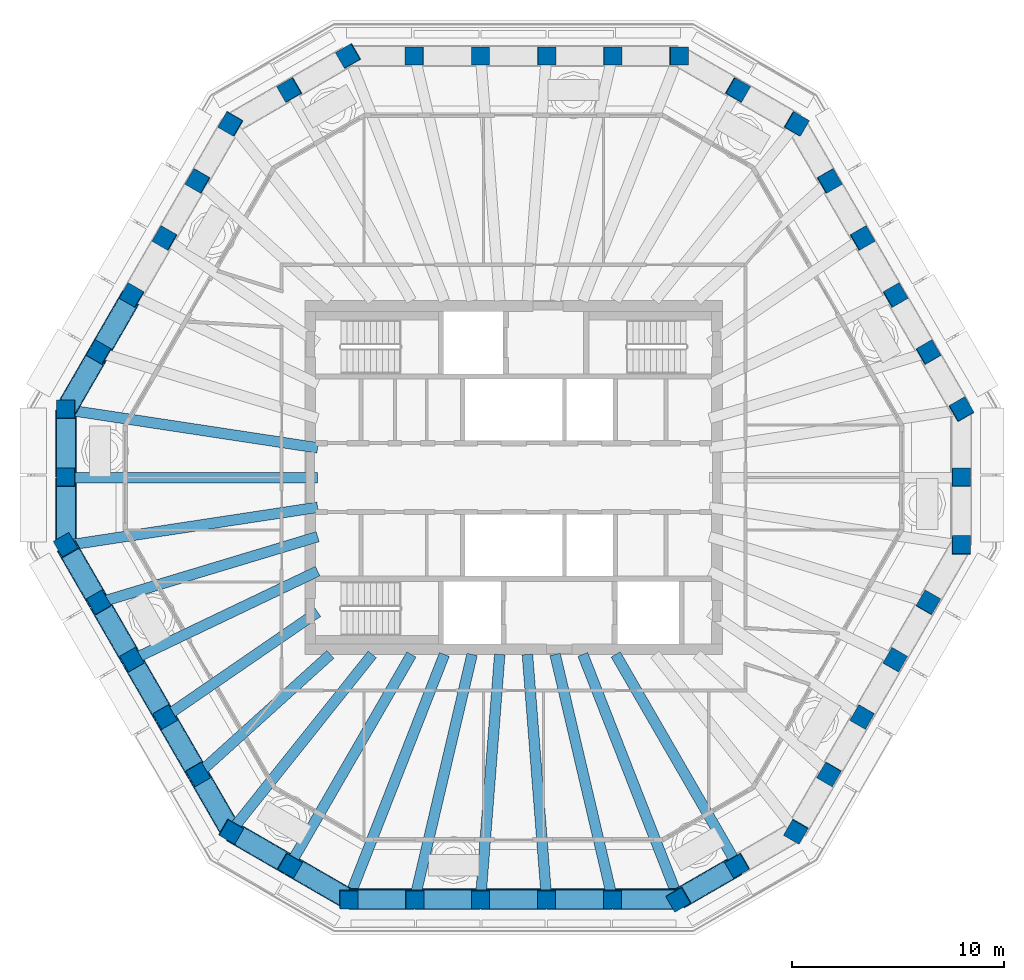
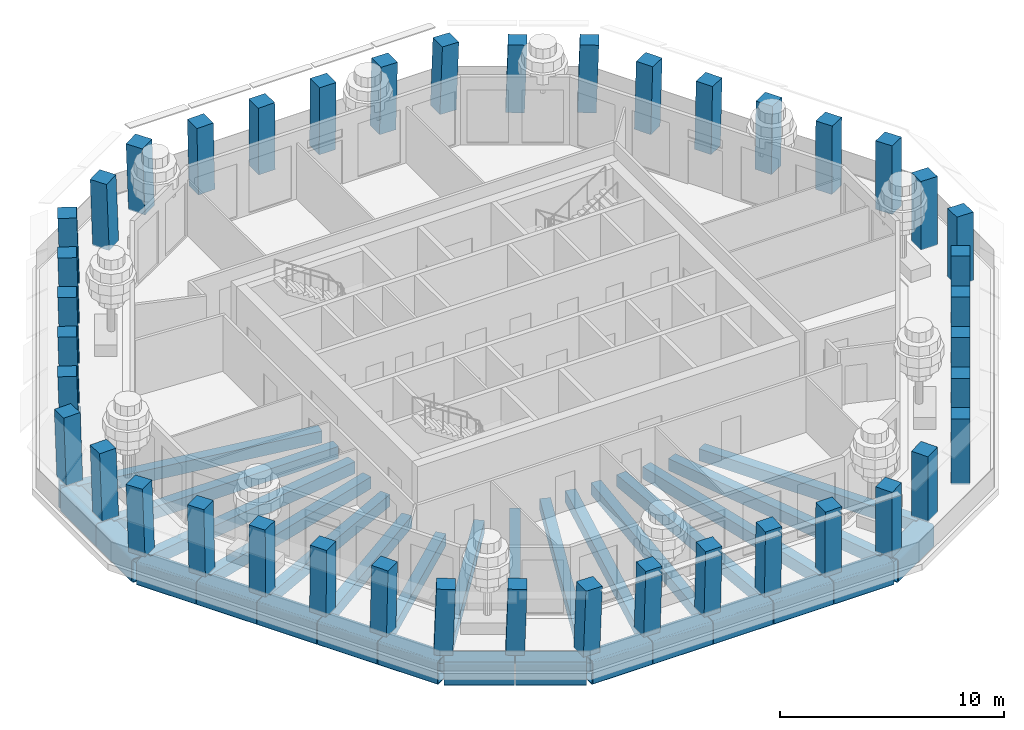
# One storey, part 1 of 13: 42 columns, 33 beams.
"""IFC4 building model written with IfcOpenShell, lengths in metres."""

from ifc_helpers import new_model, si_unit, direction, frame, origin, origin_2d, place, context, subcontext, project, spatial, rectangle, hollow_rectangle, extrude, material, material_profile, profile_set, type_object, element, save


model = new_model("IFC4")

# Units and contexts
model_context = context("Model", 3, precision=1e-05, world=origin(), true_north=direction((0.0, 1.0)))
body_context = subcontext(model_context, "Body", "Model", "MODEL_VIEW")
ifc_project = project(units=[si_unit("LENGTHUNIT", "METRE"), si_unit("AREAUNIT", "SQUARE_METRE"), si_unit("VOLUMEUNIT", "CUBIC_METRE"), si_unit("PLANEANGLEUNIT", "RADIAN"), si_unit("MASSUNIT", "GRAM", prefix="KILO")], contexts=[model_context])

# Site, building, storey
site_placement = place(None, origin())
site = spatial("IfcSite", under=ifc_project, at=site_placement, CompositionType="ELEMENT")
building_placement = place(site_placement, origin())
building = spatial("IfcBuilding", under=site, at=building_placement, Name="Frailejon Research Tower", CompositionType="ELEMENT")
storey_placement = place(building_placement, frame((0.0, 0.0, 308.60009765625)))
storey = spatial("IfcBuildingStorey", under=building, at=storey_placement, Name="L68", CompositionType="ELEMENT", Elevation=308.60009765625)

# Columns
ifc_material_1 = material(Name="Concrete C50/60", Category="concrete")
ifc_material_profile_1 = material_profile(ifc_material_1, rectangle(XDim=0.85009765625, YDim=0.85009765625, at=origin_2d()), Name="Column 850")
ifc_profile_set_1 = profile_set([ifc_material_profile_1], Name="Concrete C50/60")
column_type = type_object("IfcColumnType", Name="Column 850", PredefinedType="COLUMN", material=ifc_profile_set_1)
for number, where, z_axis, x_axis, name in (
    (1, (21.12744140625, -3.2060546875, 0.0), (0.018115165867, 0.031417446337, 0.999342176049), (-0.001297375745, 0.999506085267, -0.031399081689), "Column C01"),
    (2, (21.12744140625, 0.0, 0.0), (0.018115165867, 0.031417446337, 0.999342176049), (-0.001297375745, 0.999506085267, -0.031399081689), "Column C02"),
    (3, (21.12744140625, 3.2060546875, 0.0), (0.018115165867, 0.031417446337, 0.999342176049), (-0.501041092948, 0.865233799715, -0.018118913022), "Column C03"),
):
    element("IfcColumn", number, at=place(storey_placement, frame(where, z_axis=z_axis, x_axis=x_axis)), inside=storey, type_object=column_type, Name=name, PredefinedType="COLUMN", context=body_context, shape_type="SweptSolid", body=[
        extrude(rectangle(XDim=0.85009765625, YDim=0.85009765625, at=origin_2d()), origin(), (0.0, 0.0, 1.0), 3.65234375),
    ])
column_1_placement = place(storey_placement, frame((19.570068359375, 5.903564453125, 0.0), z_axis=(0.021793949015, 0.025136579231, 0.999446434868), x_axis=(-0.499665408411, 0.866150057728, -0.010888394553)))
element("IfcColumn", 4, at=column_1_placement, inside=storey, type_object=column_type, Name="Column C04", PredefinedType="COLUMN", context=body_context, shape_type="SweptSolid", body=[
    extrude(rectangle(XDim=0.85009765625, YDim=0.85009765625, at=origin_2d()), origin(), (0.0, 0.0, 1.0), 3.65185546875),
])
for number, where, z_axis, x_axis, name in (
    (5, (18.0126953125, 8.601318359375, 0.0), (0.025338555476, 0.01878663348, 0.999502386195), (-0.499703460542, 0.866189008895, -0.003612809361), "Column C05"),
    (6, (16.455078125, 11.298828125, 0.0), (0.029015583354, 0.012568962375, 0.99949993352), (-0.499848966802, 0.86610502362, 0.003619177736), "Column C06"),
):
    element("IfcColumn", number, at=place(storey_placement, frame(where, z_axis=z_axis, x_axis=x_axis)), inside=storey, type_object=column_type, Name=name, PredefinedType="COLUMN", context=body_context, shape_type="SweptSolid", body=[
        extrude(rectangle(XDim=0.85009765625, YDim=0.85009765625, at=origin_2d()), origin(), (0.0, 0.0, 1.0), 3.651611328125),
    ])
column_2_placement = place(storey_placement, frame((14.897705078125, 13.996337890625, 0.0), z_axis=(0.032690901241, 0.006284140525, 0.999445753682), x_axis=(-0.49982900143, 0.866055473539, 0.010903489444)))
element("IfcColumn", 7, at=column_2_placement, inside=storey, type_object=column_type, Name="Column C07", PredefinedType="COLUMN", context=body_context, shape_type="SweptSolid", body=[
    extrude(rectangle(XDim=0.85009765625, YDim=0.85009765625, at=origin_2d()), origin(), (0.0, 0.0, 1.0), 3.65185546875),
])
for number, where, z_axis, x_axis, name in (
    (8, (13.34033203125, 16.69384765625, 0.0), (0.036230378439, 0.0, 0.99934346432), (-0.865314641241, 0.500246354177, 0.031371273281), "Column C08"),
    (9, (10.563720703125, 18.297119140625, 0.0), (0.036297136169, 0.0, 0.99934104184), (-0.865312543657, 0.500246354177, 0.031429077673), "Column C09"),
    (10, (7.787109375, 19.89990234375, 0.0), (0.036297136169, 0.0, 0.99934104184), (-0.99934104184, 0.0, 0.036297136169), "Column C10"),
):
    element("IfcColumn", number, at=place(storey_placement, frame(where, z_axis=z_axis, x_axis=x_axis)), inside=storey, type_object=column_type, Name=name, PredefinedType="COLUMN", context=body_context, shape_type="SweptSolid", body=[
        extrude(rectangle(XDim=0.85009765625, YDim=0.85009765625, at=origin_2d()), origin(), (0.0, 0.0, 1.0), 3.65234375),
    ])
column_3_placement = place(storey_placement, frame((4.67236328125, 19.89990234375, 0.0), z_axis=(0.021733995409, 0.0, 0.999763788824), x_axis=(-0.999763788824, 0.0, 0.021733995409)))
element("IfcColumn", 11, at=column_3_placement, inside=storey, type_object=column_type, Name="Column C11", PredefinedType="COLUMN", context=body_context, shape_type="SweptSolid", body=[
    extrude(rectangle(XDim=0.85009765625, YDim=0.85009765625, at=origin_2d()), origin(), (0.0, 0.0, 1.0), 3.65087890625),
])
for number, where, z_axis, x_axis, name in (
    (12, (1.557373046875, 19.89990234375, 0.0), (0.00729077612, 0.0, 0.999973421939), (-0.999973421939, 0.0, 0.00729077612), "Column C12"),
    (13, (-1.557373046875, 19.89990234375, 0.0), (-0.00729077612, 0.0, 0.999973421939), (-0.999973421939, 0.0, -0.00729077612), "Column C13"),
):
    element("IfcColumn", number, at=place(storey_placement, frame(where, z_axis=z_axis, x_axis=x_axis)), inside=storey, type_object=column_type, Name=name, PredefinedType="COLUMN", context=body_context, shape_type="SweptSolid", body=[
        extrude(rectangle(XDim=0.85009765625, YDim=0.85009765625, at=origin_2d()), origin(), (0.0, 0.0, 1.0), 3.64990234375),
    ])
column_4_placement = place(storey_placement, frame((-4.67236328125, 19.89990234375, 0.0), z_axis=(-0.021733995409, 0.0, 0.999763788824), x_axis=(-0.999763788824, 0.0, -0.021733995409)))
element("IfcColumn", 14, at=column_4_placement, inside=storey, type_object=column_type, Name="Column C14", PredefinedType="COLUMN", context=body_context, shape_type="SweptSolid", body=[
    extrude(rectangle(XDim=0.85009765625, YDim=0.85009765625, at=origin_2d()), origin(), (0.0, 0.0, 1.0), 3.65087890625),
])
for number, where, z_axis, x_axis, name in (
    (15, (-7.787109375, 19.89990234375, 0.0), (-0.036297136169, 0.0, 0.99934104184), (-0.865312543657, -0.500246354177, -0.031429077673), "Column C15"),
    (16, (-10.563720703125, 18.297119140625, 0.0), (-0.036297136169, 0.0, 0.99934104184), (-0.865312543657, -0.500246354177, -0.031429077673), "Column C16"),
    (17, (-13.34033203125, 16.69384765625, 0.0), (-0.036230378439, 0.0, 0.99934346432), (-0.499425499283, -0.866167613071, -0.018106262248), "Column C17"),
):
    element("IfcColumn", number, at=place(storey_placement, frame(where, z_axis=z_axis, x_axis=x_axis)), inside=storey, type_object=column_type, Name=name, PredefinedType="COLUMN", context=body_context, shape_type="SweptSolid", body=[
        extrude(rectangle(XDim=0.85009765625, YDim=0.85009765625, at=origin_2d()), origin(), (0.0, 0.0, 1.0), 3.65234375),
    ])
column_5_placement = place(storey_placement, frame((-14.897705078125, 13.996337890625, 0.0), z_axis=(-0.032690901241, 0.006284140525, 0.999445753682), x_axis=(-0.49982900143, -0.866055473539, -0.010903489444)))
element("IfcColumn", 18, at=column_5_placement, inside=storey, type_object=column_type, Name="Column C18", PredefinedType="COLUMN", context=body_context, shape_type="SweptSolid", body=[
    extrude(rectangle(XDim=0.85009765625, YDim=0.85009765625, at=origin_2d()), origin(), (0.0, 0.0, 1.0), 3.65185546875),
])
for number, where, z_axis, x_axis, name in (
    (19, (-16.455078125, 11.298828125, 0.0), (-0.029015583354, 0.012568962375, 0.99949993352), (-0.499848966802, -0.86610502362, -0.003619177736), "Column C19"),
    (20, (-18.0126953125, 8.601318359375, 0.0), (-0.025338555476, 0.01878663348, 0.999502386195), (-0.499703460542, -0.866189008895, 0.003612809361), "Column C20"),
):
    element("IfcColumn", number, at=place(storey_placement, frame(where, z_axis=z_axis, x_axis=x_axis)), inside=storey, type_object=column_type, Name=name, PredefinedType="COLUMN", context=body_context, shape_type="SweptSolid", body=[
        extrude(rectangle(XDim=0.85009765625, YDim=0.85009765625, at=origin_2d()), origin(), (0.0, 0.0, 1.0), 3.651611328125),
    ])
column_6_placement = place(storey_placement, frame((-19.570068359375, 5.903564453125, 0.0), z_axis=(-0.021793949015, 0.025136579231, 0.999446434868), x_axis=(-0.499665408411, -0.866150057728, 0.010888394553)))
element("IfcColumn", 21, at=column_6_placement, inside=storey, type_object=column_type, Name="Column C21", PredefinedType="COLUMN", context=body_context, shape_type="SweptSolid", body=[
    extrude(rectangle(XDim=0.85009765625, YDim=0.85009765625, at=origin_2d()), origin(), (0.0, 0.0, 1.0), 3.65185546875),
])
for number, where, z_axis, x_axis, name in (
    (22, (-21.12744140625, 3.2060546875, 0.0), (-0.018115165867, 0.031417446337, 0.999342176049), (-0.001297375745, -0.999506085267, 0.031399081689), "Column C22"),
    (23, (-21.12744140625, 0.0, 0.0), (-0.018115165867, 0.031417446337, 0.999342176049), (-0.001297375745, -0.999506085267, 0.031399081689), "Column C23"),
    (24, (-21.12744140625, -3.2060546875, 0.0), (-0.018115165867, 0.031417446337, 0.999342176049), (0.499040470376, -0.865819492615, 0.036265894916), "Column C24"),
):
    element("IfcColumn", number, at=place(storey_placement, frame(where, z_axis=z_axis, x_axis=x_axis)), inside=storey, type_object=column_type, Name=name, PredefinedType="COLUMN", context=body_context, shape_type="SweptSolid", body=[
        extrude(rectangle(XDim=0.85009765625, YDim=0.85009765625, at=origin_2d()), origin(), (0.0, 0.0, 1.0), 3.65234375),
    ])
column_7_placement = place(storey_placement, frame((-19.570068359375, -5.903564453125, 0.0), z_axis=(-0.010900423214, 0.018858400897, 0.999762742599), x_axis=(0.500590318805, -0.865410234662, 0.021782067434)))
element("IfcColumn", 25, at=column_7_placement, inside=storey, type_object=column_type, Name="Column C25", PredefinedType="COLUMN", context=body_context, shape_type="SweptSolid", body=[
    extrude(rectangle(XDim=0.85009765625, YDim=0.85009765625, at=origin_2d()), origin(), (0.0, 0.0, 1.0), 3.65087890625),
])
for number, where, z_axis, x_axis, name in (
    (26, (-18.0126953125, -8.601318359375, 0.0), (-0.003611945175, 0.00628746012, 0.999973710503), (0.497890394796, -0.867209649664, 0.007251089524), "Column C26"),
    (27, (-16.455078125, -11.298828125, 0.0), (0.003611945175, -0.00628746012, 0.999973710503), (0.497890394796, -0.867209649664, -0.007251089524), "Column C27"),
):
    element("IfcColumn", number, at=place(storey_placement, frame(where, z_axis=z_axis, x_axis=x_axis)), inside=storey, type_object=column_type, Name=name, PredefinedType="COLUMN", context=body_context, shape_type="SweptSolid", body=[
        extrude(rectangle(XDim=0.85009765625, YDim=0.85009765625, at=origin_2d()), origin(), (0.0, 0.0, 1.0), 3.64990234375),
    ])
column_8_placement = place(storey_placement, frame((-14.897705078125, -13.996337890625, 0.0), z_axis=(0.010900423214, -0.018858400897, 0.999762742599), x_axis=(0.500590318805, -0.865410234662, -0.021782067434)))
element("IfcColumn", 28, at=column_8_placement, inside=storey, type_object=column_type, Name="Column C28", PredefinedType="COLUMN", context=body_context, shape_type="SweptSolid", body=[
    extrude(rectangle(XDim=0.85009765625, YDim=0.85009765625, at=origin_2d()), origin(), (0.0, 0.0, 1.0), 3.65087890625),
])
for number, where, z_axis, x_axis, name in (
    (29, (-13.34033203125, -16.69384765625, 0.0), (0.018115165867, -0.031417446337, 0.999342176049), (0.865519692755, -0.499889378995, -0.031404939456), "Column C29"),
    (30, (-10.563720703125, -18.297119140625, 0.0), (0.018115203871, -0.031350666477, 0.999344272561), (0.865981217505, -0.499092579547, -0.031354871555), "Column C30"),
    (31, (-7.787109375, -19.89990234375, 0.0), (0.018115165867, -0.031417446337, 0.999342176049), (0.999835642796, -0.000157281862, -0.01812905563), "Column C31"),
):
    element("IfcColumn", number, at=place(storey_placement, frame(where, z_axis=z_axis, x_axis=x_axis)), inside=storey, type_object=column_type, Name=name, PredefinedType="COLUMN", context=body_context, shape_type="SweptSolid", body=[
        extrude(rectangle(XDim=0.85009765625, YDim=0.85009765625, at=origin_2d()), origin(), (0.0, 0.0, 1.0), 3.65234375),
    ])
column_9_placement = place(storey_placement, frame((-4.67236328125, -19.89990234375, 0.0), z_axis=(0.010896978963, -0.031420736888, 0.99944684358), x_axis=(0.99994040428, 0.001008258557, -0.0108706625)))
element("IfcColumn", 32, at=column_9_placement, inside=storey, type_object=column_type, Name="Column C32", PredefinedType="COLUMN", context=body_context, shape_type="SweptSolid", body=[
    extrude(rectangle(XDim=0.85009765625, YDim=0.85009765625, at=origin_2d()), origin(), (0.0, 0.0, 1.0), 3.65185546875),
])
for number, where, z_axis, x_axis, name in (
    (33, (-1.557373046875, -19.89990234375, 0.0), (0.003610232938, -0.031422397791, 0.999499674405), (0.999993379572, -0.000341341874, -0.00362274737), "Column C33"),
    (34, (1.557373046875, -19.89990234375, 0.0), (-0.003610232938, -0.031422397791, 0.999499674405), (0.999993379572, 0.000341341874, 0.00362274737), "Column C34"),
):
    element("IfcColumn", number, at=place(storey_placement, frame(where, z_axis=z_axis, x_axis=x_axis)), inside=storey, type_object=column_type, Name=name, PredefinedType="COLUMN", context=body_context, shape_type="SweptSolid", body=[
        extrude(rectangle(XDim=0.85009765625, YDim=0.85009765625, at=origin_2d()), origin(), (0.0, 0.0, 1.0), 3.651611328125),
    ])
column_10_placement = place(storey_placement, frame((4.67236328125, -19.89990234375, 0.0), z_axis=(-0.010896978963, -0.031420736888, 0.99944684358), x_axis=(0.99994040428, -0.001008258557, 0.0108706625)))
element("IfcColumn", 35, at=column_10_placement, inside=storey, type_object=column_type, Name="Column C35", PredefinedType="COLUMN", context=body_context, shape_type="SweptSolid", body=[
    extrude(rectangle(XDim=0.85009765625, YDim=0.85009765625, at=origin_2d()), origin(), (0.0, 0.0, 1.0), 3.65185546875),
])
for number, where, z_axis, x_axis, name in (
    (36, (7.787109375, -19.89990234375, 0.0), (-0.018115165867, -0.031417446337, 0.999342176049), (0.865519692755, 0.499889378995, 0.031404939456), "Column C36"),
    (37, (10.563720703125, -18.297119140625, 0.0), (-0.018115203871, -0.031350666477, 0.999344272561), (0.865981217505, 0.499092579547, 0.031354871555), "Column C37"),
    (38, (13.34033203125, -16.69384765625, 0.0), (-0.018115165867, -0.031417446337, 0.999342176049), (0.499040470376, 0.865819492615, 0.036265894916), "Column C38"),
):
    element("IfcColumn", number, at=place(storey_placement, frame(where, z_axis=z_axis, x_axis=x_axis)), inside=storey, type_object=column_type, Name=name, PredefinedType="COLUMN", context=body_context, shape_type="SweptSolid", body=[
        extrude(rectangle(XDim=0.85009765625, YDim=0.85009765625, at=origin_2d()), origin(), (0.0, 0.0, 1.0), 3.65234375),
    ])
column_11_placement = place(storey_placement, frame((14.897705078125, -13.996337890625, 0.0), z_axis=(-0.010900423214, -0.018858400897, 0.999762742599), x_axis=(0.500590318805, 0.865410234662, 0.021782067434)))
element("IfcColumn", 39, at=column_11_placement, inside=storey, type_object=column_type, Name="Column C39", PredefinedType="COLUMN", context=body_context, shape_type="SweptSolid", body=[
    extrude(rectangle(XDim=0.85009765625, YDim=0.85009765625, at=origin_2d()), origin(), (0.0, 0.0, 1.0), 3.65087890625),
])
for number, where, z_axis, x_axis, name in (
    (40, (16.455078125, -11.298828125, 0.0), (-0.003611945175, -0.00628746012, 0.999973710503), (0.497890394796, 0.867209649664, 0.007251089524), "Column C40"),
    (41, (18.0126953125, -8.601318359375, 0.0), (0.003611945175, 0.00628746012, 0.999973710503), (0.497890394796, 0.867209649664, -0.007251089524), "Column C41"),
):
    element("IfcColumn", number, at=place(storey_placement, frame(where, z_axis=z_axis, x_axis=x_axis)), inside=storey, type_object=column_type, Name=name, PredefinedType="COLUMN", context=body_context, shape_type="SweptSolid", body=[
        extrude(rectangle(XDim=0.85009765625, YDim=0.85009765625, at=origin_2d()), origin(), (0.0, 0.0, 1.0), 3.64990234375),
    ])
column_12_placement = place(storey_placement, frame((19.570068359375, -5.903564453125, 0.0), z_axis=(0.010900423214, 0.018858400897, 0.999762742599), x_axis=(0.500590318805, 0.865410234662, -0.021782067434)))
element("IfcColumn", 42, at=column_12_placement, inside=storey, type_object=column_type, Name="Column C42", PredefinedType="COLUMN", context=body_context, shape_type="SweptSolid", body=[
    extrude(rectangle(XDim=0.85009765625, YDim=0.85009765625, at=origin_2d()), origin(), (0.0, 0.0, 1.0), 3.65087890625),
])

# Beams
ifc_material_2 = material(Name="Steel S355", Category="steel")
ifc_material_profile_2 = material_profile(ifc_material_2, hollow_rectangle(XDim=1.0, YDim=1.300048828125, WallThickness=0.06005859375, InnerFilletRadius=0.06005859375, OuterFilletRadius=0.1201171875, at=origin_2d()), Name="Belt chord")
ifc_profile_set_2 = profile_set([ifc_material_profile_2], Name="Steel S355")
beam_type_1 = type_object("IfcBeamType", Name="Belt chord", PredefinedType="BEAM", material=ifc_profile_set_2)
beam_1_placement = place(storey_placement, frame((-18.022705078125, 8.583984375, -1.0), z_axis=(-0.499956128963, -0.866050731258, 0.0), x_axis=(0.866050731258, -0.499956128963, 0.0)))
element("IfcBeam", 43, at=beam_1_placement, inside=storey, type_object=beam_type_1, Name="Belt chord", PredefinedType="BEAM", context=body_context, shape_type="SweptSolid", body=[
    extrude(hollow_rectangle(XDim=1.0, YDim=1.300048828125, WallThickness=0.06005859375, InnerFilletRadius=0.06005859375, OuterFilletRadius=0.1201171875, at=origin_2d()), origin(), (0.0, 0.0, 1.0), 3.074951171875),
])
beam_2_placement = place(storey_placement, frame((-19.580078125, 5.88623046875, -1.0), z_axis=(-0.499990508365, -0.866030883713, 0.0), x_axis=(0.866030883713, -0.499990508365, 0.0)))
element("IfcBeam", 44, at=beam_2_placement, inside=storey, type_object=beam_type_1, Name="Belt chord", PredefinedType="BEAM", context=body_context, shape_type="SweptSolid", body=[
    extrude(hollow_rectangle(XDim=1.0, YDim=1.300048828125, WallThickness=0.06005859375, InnerFilletRadius=0.06005859375, OuterFilletRadius=0.1201171875, at=origin_2d()), origin(), (0.0, 0.0, 1.0), 3.07470703125),
])
for number, where, z_axis, x_axis, name in (
    (45, (-21.12744140625, 3.18603515625, -1.0), (0.0, -1.0, 0.0), (1.0, 0.0, 0.0), "Belt chord"),
    (46, (-21.12744140625, -0.02001953125, -1.0), (0.0, -1.0, 0.0), (1.0, 0.0, 0.0), "Belt chord"),
):
    element("IfcBeam", number, at=place(storey_placement, frame(where, z_axis=z_axis, x_axis=x_axis)), inside=storey, type_object=beam_type_1, Name=name, PredefinedType="BEAM", context=body_context, shape_type="SweptSolid", body=[
        extrude(hollow_rectangle(XDim=1.0, YDim=1.300048828125, WallThickness=0.06005859375, InnerFilletRadius=0.06005859375, OuterFilletRadius=0.1201171875, at=origin_2d()), origin(), (0.0, 0.0, 1.0), 3.166015625),
    ])
beam_3_placement = place(storey_placement, frame((-21.117431640625, -3.223388671875, -1.0), z_axis=(0.499990508365, -0.866030883713, 0.0), x_axis=(0.866030883713, 0.499990508365, 0.0)))
element("IfcBeam", 47, at=beam_3_placement, inside=storey, type_object=beam_type_1, Name="Belt chord", PredefinedType="BEAM", context=body_context, shape_type="SweptSolid", body=[
    extrude(hollow_rectangle(XDim=1.0, YDim=1.300048828125, WallThickness=0.06005859375, InnerFilletRadius=0.06005859375, OuterFilletRadius=0.1201171875, at=origin_2d()), origin(), (0.0, 0.0, 1.0), 3.07470703125),
])
beam_4_placement = place(storey_placement, frame((-19.56005859375, -5.9208984375, -1.0), z_axis=(0.499956128963, -0.866050731258, 0.0), x_axis=(0.866050731258, 0.499956128963, 0.0)))
element("IfcBeam", 48, at=beam_4_placement, inside=storey, type_object=beam_type_1, Name="Belt chord", PredefinedType="BEAM", context=body_context, shape_type="SweptSolid", body=[
    extrude(hollow_rectangle(XDim=1.0, YDim=1.300048828125, WallThickness=0.06005859375, InnerFilletRadius=0.06005859375, OuterFilletRadius=0.1201171875, at=origin_2d()), origin(), (0.0, 0.0, 1.0), 3.074951171875),
])
beam_5_placement = place(storey_placement, frame((-18.002685546875, -8.618408203125, -1.0), z_axis=(0.500015675843, -0.866016353143, 0.0), x_axis=(0.866016353143, 0.500015675843, 0.0)))
element("IfcBeam", 49, at=beam_5_placement, inside=storey, type_object=beam_type_1, Name="Belt chord", PredefinedType="BEAM", context=body_context, shape_type="SweptSolid", body=[
    extrude(hollow_rectangle(XDim=1.0, YDim=1.300048828125, WallThickness=0.06005859375, InnerFilletRadius=0.06005859375, OuterFilletRadius=0.1201171875, at=origin_2d()), origin(), (0.0, 0.0, 1.0), 3.0751953125),
])
beam_6_placement = place(storey_placement, frame((-16.4453125, -11.316162109375, -1.0), z_axis=(0.50005005661, -0.865996501658, 0.0), x_axis=(0.865996501658, 0.50005005661, 0.0)))
element("IfcBeam", 50, at=beam_6_placement, inside=storey, type_object=beam_type_1, Name="Belt chord", PredefinedType="BEAM", context=body_context, shape_type="SweptSolid", body=[
    extrude(hollow_rectangle(XDim=1.0, YDim=1.300048828125, WallThickness=0.06005859375, InnerFilletRadius=0.06005859375, OuterFilletRadius=0.1201171875, at=origin_2d()), origin(), (0.0, 0.0, 1.0), 3.074951171875),
])
beam_7_placement = place(storey_placement, frame((-14.8876953125, -14.013671875, -1.0), z_axis=(0.499990508365, -0.866030883713, 0.0), x_axis=(0.866030883713, 0.499990508365, 0.0)))
element("IfcBeam", 51, at=beam_7_placement, inside=storey, type_object=beam_type_1, Name="Belt chord", PredefinedType="BEAM", context=body_context, shape_type="SweptSolid", body=[
    extrude(hollow_rectangle(XDim=1.0, YDim=1.300048828125, WallThickness=0.06005859375, InnerFilletRadius=0.06005859375, OuterFilletRadius=0.1201171875, at=origin_2d()), origin(), (0.0, 0.0, 1.0), 3.07470703125),
])
beam_8_placement = place(storey_placement, frame((-13.322998046875, -16.703857421875, -1.0), z_axis=(0.865999388567, -0.500045056972, 0.0), x_axis=(0.500045056972, 0.865999388567, 0.0)))
element("IfcBeam", 52, at=beam_8_placement, inside=storey, type_object=beam_type_1, Name="Belt chord", PredefinedType="BEAM", context=body_context, shape_type="SweptSolid", body=[
    extrude(hollow_rectangle(XDim=1.0, YDim=1.300048828125, WallThickness=0.06005859375, InnerFilletRadius=0.06005859375, OuterFilletRadius=0.1201171875, at=origin_2d()), origin(), (0.0, 0.0, 1.0), 3.166259765625),
])
beam_9_placement = place(storey_placement, frame((-10.54638671875, -18.306884765625, -1.0), z_axis=(0.866032778651, -0.499987226139, 0.0), x_axis=(0.499987226139, 0.866032778651, 0.0)))
element("IfcBeam", 53, at=beam_9_placement, inside=storey, type_object=beam_type_1, Name="Belt chord", PredefinedType="BEAM", context=body_context, shape_type="SweptSolid", body=[
    extrude(hollow_rectangle(XDim=1.0, YDim=1.300048828125, WallThickness=0.06005859375, InnerFilletRadius=0.06005859375, OuterFilletRadius=0.1201171875, at=origin_2d()), origin(), (0.0, 0.0, 1.0), 3.166015625),
])
beam_10_placement = place(storey_placement, frame((-7.76708984375, -19.89990234375, -1.0), z_axis=(1.0, 0.0, 0.0), x_axis=(0.0, 1.0, 0.0)))
element("IfcBeam", 54, at=beam_10_placement, inside=storey, type_object=beam_type_1, Name="Belt chord", PredefinedType="BEAM", context=body_context, shape_type="SweptSolid", body=[
    extrude(hollow_rectangle(XDim=1.0, YDim=1.300048828125, WallThickness=0.06005859375, InnerFilletRadius=0.06005859375, OuterFilletRadius=0.1201171875, at=origin_2d()), origin(), (0.0, 0.0, 1.0), 3.07470703125),
])
beam_11_placement = place(storey_placement, frame((-4.65234375, -19.89990234375, -1.0), z_axis=(1.0, 0.0, 0.0), x_axis=(0.0, 1.0, 0.0)))
element("IfcBeam", 55, at=beam_11_placement, inside=storey, type_object=beam_type_1, Name="Belt chord", PredefinedType="BEAM", context=body_context, shape_type="SweptSolid", body=[
    extrude(hollow_rectangle(XDim=1.0, YDim=1.300048828125, WallThickness=0.06005859375, InnerFilletRadius=0.06005859375, OuterFilletRadius=0.1201171875, at=origin_2d()), origin(), (0.0, 0.0, 1.0), 3.074951171875),
])
beam_12_placement = place(storey_placement, frame((-1.537353515625, -19.89990234375, -1.0), z_axis=(1.0, 0.0, 0.0), x_axis=(0.0, 1.0, 0.0)))
element("IfcBeam", 56, at=beam_12_placement, inside=storey, type_object=beam_type_1, Name="Belt chord", PredefinedType="BEAM", context=body_context, shape_type="SweptSolid", body=[
    extrude(hollow_rectangle(XDim=1.0, YDim=1.300048828125, WallThickness=0.06005859375, InnerFilletRadius=0.06005859375, OuterFilletRadius=0.1201171875, at=origin_2d()), origin(), (0.0, 0.0, 1.0), 3.07470703125),
])
beam_13_placement = place(storey_placement, frame((1.577392578125, -19.89990234375, -1.0), z_axis=(1.0, 0.0, 0.0), x_axis=(0.0, 1.0, 0.0)))
element("IfcBeam", 57, at=beam_13_placement, inside=storey, type_object=beam_type_1, Name="Belt chord", PredefinedType="BEAM", context=body_context, shape_type="SweptSolid", body=[
    extrude(hollow_rectangle(XDim=1.0, YDim=1.300048828125, WallThickness=0.06005859375, InnerFilletRadius=0.06005859375, OuterFilletRadius=0.1201171875, at=origin_2d()), origin(), (0.0, 0.0, 1.0), 3.074951171875),
])
beam_14_placement = place(storey_placement, frame((4.6923828125, -19.89990234375, -1.0), z_axis=(1.0, 0.0, 0.0), x_axis=(0.0, 1.0, 0.0)))
element("IfcBeam", 58, at=beam_14_placement, inside=storey, type_object=beam_type_1, Name="Belt chord", PredefinedType="BEAM", context=body_context, shape_type="SweptSolid", body=[
    extrude(hollow_rectangle(XDim=1.0, YDim=1.300048828125, WallThickness=0.06005859375, InnerFilletRadius=0.06005859375, OuterFilletRadius=0.1201171875, at=origin_2d()), origin(), (0.0, 0.0, 1.0), 3.07470703125),
])
beam_15_placement = place(storey_placement, frame((7.804443359375, -19.889892578125, -1.0), z_axis=(0.866032778651, 0.499987226139, 0.0), x_axis=(-0.499987226139, 0.866032778651, 0.0)))
element("IfcBeam", 59, at=beam_15_placement, inside=storey, type_object=beam_type_1, Name="Belt chord", PredefinedType="BEAM", context=body_context, shape_type="SweptSolid", body=[
    extrude(hollow_rectangle(XDim=1.0, YDim=1.300048828125, WallThickness=0.06005859375, InnerFilletRadius=0.06005859375, OuterFilletRadius=0.1201171875, at=origin_2d()), origin(), (0.0, 0.0, 1.0), 3.166015625),
])
ifc_material_3 = material(Name="Concrete C60/75", Category="concrete")
ifc_material_profile_3 = material_profile(ifc_material_3, rectangle(XDim=0.5, YDim=0.64990234375, at=origin_2d()), Name="Girder 500x650")
ifc_profile_set_3 = profile_set([ifc_material_profile_3], Name="Concrete C60/75")
beam_type_2 = type_object("IfcBeamType", Name="Girder 500x650", PredefinedType="BEAM", material=ifc_profile_set_3)
beam_16_placement = place(storey_placement, frame((-20.850830078125, 3.1640625, -0.625), z_axis=(0.988683262356, -0.150018021373, 0.0), x_axis=(0.150018021373, 0.988683262356, 0.0)))
element("IfcBeam", 60, at=beam_16_placement, inside=storey, type_object=beam_type_2, Name="Girder 500x650", PredefinedType="BEAM", context=body_context, shape_type="SweptSolid", body=[
    extrude(rectangle(XDim=0.5, YDim=0.64990234375, at=origin_2d()), origin(), (0.0, 0.0, 1.0), 11.733642578125),
])
beam_17_placement = place(storey_placement, frame((-20.8525390625, 0.0, -0.625), z_axis=(1.0, 0.0, 0.0), x_axis=(0.0, 1.0, 0.0)))
element("IfcBeam", 61, at=beam_17_placement, inside=storey, type_object=beam_type_2, Name="Girder 500x650", PredefinedType="BEAM", context=body_context, shape_type="SweptSolid", body=[
    extrude(rectangle(XDim=0.5, YDim=0.64990234375, at=origin_2d()), origin(), (0.0, 0.0, 1.0), 11.6025390625),
])
beam_18_placement = place(storey_placement, frame((-20.82470703125, -3.16015625, -0.625), z_axis=(0.988682533426, 0.150022825258, 0.0), x_axis=(-0.150022825258, 0.988682533426, 0.0)))
element("IfcBeam", 62, at=beam_18_placement, inside=storey, type_object=beam_type_2, Name="Girder 500x650", PredefinedType="BEAM", context=body_context, shape_type="SweptSolid", body=[
    extrude(rectangle(XDim=0.5, YDim=0.64990234375, at=origin_2d()), origin(), (0.0, 0.0, 1.0), 11.707275390625),
])
beam_19_placement = place(storey_placement, frame((-19.2958984375, -5.82080078125, -0.625), z_axis=(0.957385869994, 0.288811869452, 0.0), x_axis=(-0.288811869452, 0.957385869994, 0.0)))
element("IfcBeam", 63, at=beam_19_placement, inside=storey, type_object=beam_type_2, Name="Girder 500x650", PredefinedType="BEAM", context=body_context, shape_type="SweptSolid", body=[
    extrude(rectangle(XDim=0.5, YDim=0.64990234375, at=origin_2d()), origin(), (0.0, 0.0, 1.0), 10.4931640625),
])
beam_20_placement = place(storey_placement, frame((-17.76318359375, -8.482177734375, -0.625), z_axis=(0.902395512011, 0.430908737324, 0.0), x_axis=(-0.430908737324, 0.902395512011, 0.0)))
element("IfcBeam", 64, at=beam_20_placement, inside=storey, type_object=beam_type_2, Name="Girder 500x650", PredefinedType="BEAM", context=body_context, shape_type="SweptSolid", body=[
    extrude(rectangle(XDim=0.5, YDim=0.64990234375, at=origin_2d()), origin(), (0.0, 0.0, 1.0), 9.43408203125),
])
beam_21_placement = place(storey_placement, frame((-16.227294921875, -11.142333984375, -0.625), z_axis=(0.824365819258, 0.566057414084, 0.0), x_axis=(-0.566057414084, 0.824365819258, 0.0)))
element("IfcBeam", 65, at=beam_21_placement, inside=storey, type_object=beam_type_2, Name="Girder 500x650", PredefinedType="BEAM", context=body_context, shape_type="SweptSolid", body=[
    extrude(rectangle(XDim=0.5, YDim=0.64990234375, at=origin_2d()), origin(), (0.0, 0.0, 1.0), 8.4638671875),
])
beam_22_placement = place(storey_placement, frame((-14.6865234375, -13.805419921875, -0.625), z_axis=(0.741925917457, 0.670481866277, 0.0), x_axis=(-0.670481866277, 0.741925917457, 0.0)))
element("IfcBeam", 66, at=beam_22_placement, inside=storey, type_object=beam_type_2, Name="Girder 500x650", PredefinedType="BEAM", context=body_context, shape_type="SweptSolid", body=[
    extrude(rectangle(XDim=0.5, YDim=0.64990234375, at=origin_2d()), origin(), (0.0, 0.0, 1.0), 8.136474609375),
])
beam_23_placement = place(storey_placement, frame((-13.16552734375, -16.475341796875, -0.625), z_axis=(0.624268430049, 0.781209912407, 0.0), x_axis=(-0.781209912407, 0.624268430049, 0.0)))
element("IfcBeam", 67, at=beam_23_placement, inside=storey, type_object=beam_type_2, Name="Girder 500x650", PredefinedType="BEAM", context=body_context, shape_type="SweptSolid", body=[
    extrude(rectangle(XDim=0.5, YDim=0.64990234375, at=origin_2d()), origin(), (0.0, 0.0, 1.0), 10.40087890625),
])
beam_24_placement = place(storey_placement, frame((-10.42626953125, -18.058837890625, -0.625), z_axis=(0.500008359956, 0.866020577108, 0.0), x_axis=(-0.866020577108, 0.500008359956, 0.0)))
element("IfcBeam", 68, at=beam_24_placement, inside=storey, type_object=beam_type_2, Name="Girder 500x650", PredefinedType="BEAM", context=body_context, shape_type="SweptSolid", body=[
    extrude(rectangle(XDim=0.5, YDim=0.64990234375, at=origin_2d()), origin(), (0.0, 0.0, 1.0), 11.210693359375),
])
beam_25_placement = place(storey_placement, frame((-7.675537109375, -19.61474609375, -0.625), z_axis=(0.36440315356, 0.931241290792, 0.0), x_axis=(-0.931241290792, 0.36440315356, 0.0)))
element("IfcBeam", 69, at=beam_25_placement, inside=storey, type_object=beam_type_2, Name="Girder 500x650", PredefinedType="BEAM", context=body_context, shape_type="SweptSolid", body=[
    extrude(rectangle(XDim=0.5, YDim=0.64990234375, at=origin_2d()), origin(), (0.0, 0.0, 1.0), 12.096435546875),
])
beam_26_placement = place(storey_placement, frame((-4.606689453125, -19.62109375, -0.625), z_axis=(0.228567982791, 0.973527954012, 0.0), x_axis=(-0.973527954012, 0.228567982791, 0.0)))
element("IfcBeam", 70, at=beam_26_placement, inside=storey, type_object=beam_type_2, Name="Girder 500x650", PredefinedType="BEAM", context=body_context, shape_type="SweptSolid", body=[
    extrude(rectangle(XDim=0.5, YDim=0.64990234375, at=origin_2d()), origin(), (0.0, 0.0, 1.0), 11.577392578125),
])
for number, where, z_axis, x_axis, name in (
    (71, (-1.535888671875, -19.62451171875, -0.625), (0.078020434403, 0.996951760024, 0.0), (-0.996951760024, 0.078020434403, 0.0), "Girder 500x650"),
    (72, (1.535888671875, -19.62451171875, -0.625), (-0.078020434403, 0.996951760024, 0.0), (-0.996951760024, -0.078020434403, 0.0), "Girder 500x650"),
):
    element("IfcBeam", number, at=place(storey_placement, frame(where, z_axis=z_axis, x_axis=x_axis)), inside=storey, type_object=beam_type_2, Name=name, PredefinedType="BEAM", context=body_context, shape_type="SweptSolid", body=[
        extrude(rectangle(XDim=0.5, YDim=0.64990234375, at=origin_2d()), origin(), (0.0, 0.0, 1.0), 11.308837890625),
    ])
beam_27_placement = place(storey_placement, frame((4.606689453125, -19.62109375, -0.625), z_axis=(-0.228567982791, 0.973527954012, 0.0), x_axis=(-0.973527954012, -0.228567982791, 0.0)))
element("IfcBeam", 73, at=beam_27_placement, inside=storey, type_object=beam_type_2, Name="Girder 500x650", PredefinedType="BEAM", context=body_context, shape_type="SweptSolid", body=[
    extrude(rectangle(XDim=0.5, YDim=0.64990234375, at=origin_2d()), origin(), (0.0, 0.0, 1.0), 11.577392578125),
])
beam_28_placement = place(storey_placement, frame((7.685302734375, -19.639404296875, -0.625), z_axis=(-0.364411497855, 0.93123802555, 0.0), x_axis=(-0.93123802555, -0.364411497855, 0.0)))
element("IfcBeam", 74, at=beam_28_placement, inside=storey, type_object=beam_type_2, Name="Girder 500x650", PredefinedType="BEAM", context=body_context, shape_type="SweptSolid", body=[
    extrude(rectangle(XDim=0.5, YDim=0.64990234375, at=origin_2d()), origin(), (0.0, 0.0, 1.0), 12.122802734375),
])
beam_29_placement = place(storey_placement, frame((10.42626953125, -18.058837890625, -0.625), z_axis=(-0.500008359956, 0.866020577108, 0.0), x_axis=(-0.866020577108, -0.500008359956, 0.0)))
element("IfcBeam", 75, at=beam_29_placement, inside=storey, type_object=beam_type_2, Name="Girder 500x650", PredefinedType="BEAM", context=body_context, shape_type="SweptSolid", body=[
    extrude(rectangle(XDim=0.5, YDim=0.64990234375, at=origin_2d()), origin(), (0.0, 0.0, 1.0), 11.210693359375),
])

save(model, "model.ifc")
